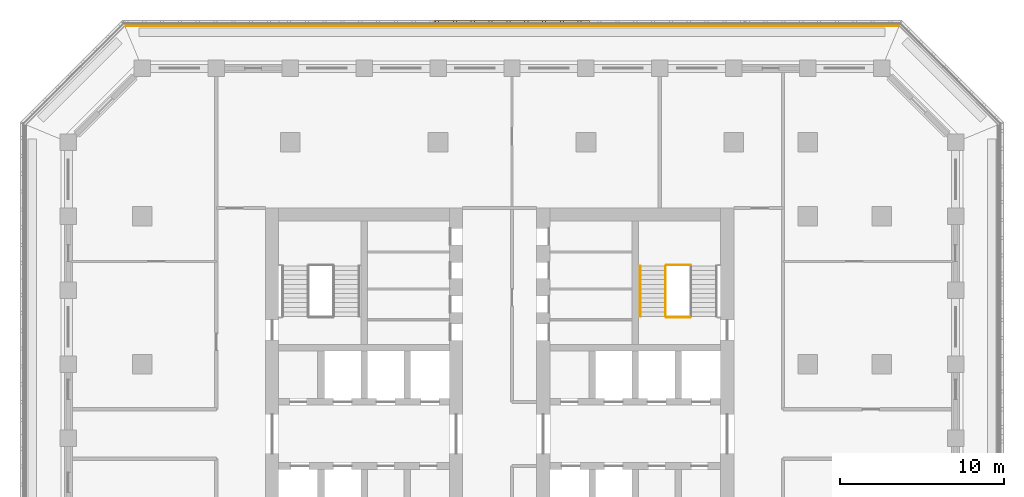
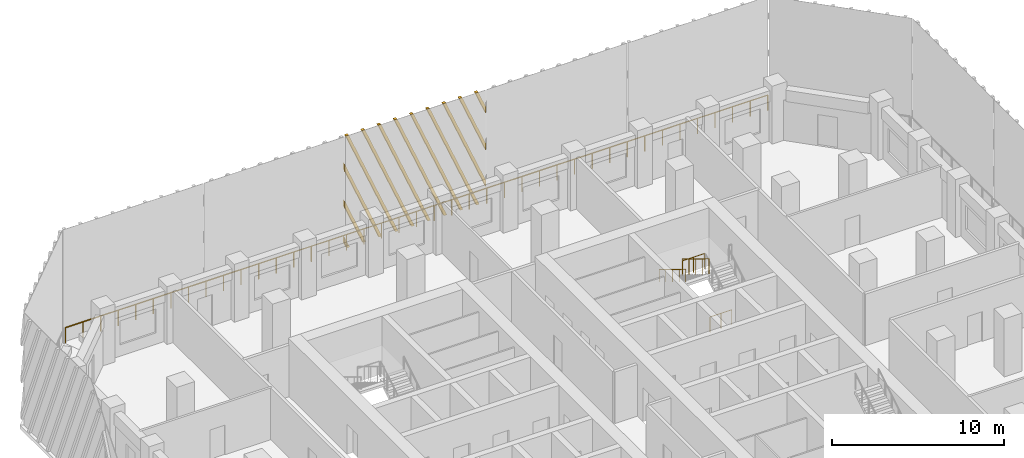
# One storey, part 14 of 16: 5 railings, 1 shading device.
"""IFC4 building model written with IfcOpenShell, lengths in metres."""

from ifc_helpers import new_model, si_unit, direction, frame, origin, origin_2d, place, context, subcontext, project, spatial, polyline, circle, outline, extrude, source, transform, mapped, material, type_object, element, save


model = new_model("IFC4")

# Units and contexts
model_context = context("Model", 3, precision=1e-05, world=origin(), true_north=direction((0.0, 1.0)))
body_context = subcontext(model_context, "Body", "Model", "MODEL_VIEW")
ifc_project = project(units=[si_unit("LENGTHUNIT", "METRE"), si_unit("AREAUNIT", "SQUARE_METRE"), si_unit("VOLUMEUNIT", "CUBIC_METRE"), si_unit("PLANEANGLEUNIT", "RADIAN"), si_unit("MASSUNIT", "GRAM", prefix="KILO")], contexts=[model_context])

# Site, building, storey
site_placement = place(None, origin())
site = spatial("IfcSite", under=ifc_project, at=site_placement, CompositionType="ELEMENT")
building_placement = place(site_placement, origin())
building = spatial("IfcBuilding", under=site, at=building_placement, Name="Corbel Stack Research Tower", CompositionType="ELEMENT")
storey_placement = place(building_placement, frame((0.0, 0.0, 199.699951171875)))
storey = spatial("IfcBuildingStorey", under=building, at=storey_placement, Name="L45", CompositionType="ELEMENT", Elevation=199.699951171875)

# Railings
ifc_material_1 = material(Name="Steel S355", Category="steel")
railing_type_1 = type_object("IfcRailingType", Name="Stair guard 1100", PredefinedType="GUARDRAIL", material=ifc_material_1)
railing_1_placement = place(storey_placement, frame((15.35009765625, 15.030029296875, 2.050048828125)))
element("IfcRailing", 1, at=railing_1_placement, inside=storey, type_object=railing_type_1, Name="L45 ST-E2 stair guard 2", PredefinedType="GUARDRAIL", context=body_context, shape_type="SweptSolid", body=[
    extrude(circle(Radius=0.02392578125, at=origin_2d()), frame((0.0, 0.0, 1.076171875), z_axis=(-1.0, 0.0, 0.0), x_axis=(0.0, -1.0, 0.0)), (0.0, 0.0, 1.0), 1.4501953125),
    extrude(circle(Radius=0.02099609375, at=origin_2d()), origin(), (0.0, 0.0, 1.0), 1.052001953125),
    extrude(circle(Radius=0.02099609375, at=origin_2d()), frame((-0.72509765625, 0.0, 0.0)), (0.0, 0.0, 1.0), 1.052001953125),
    extrude(circle(Radius=0.02099609375, at=origin_2d()), frame((-1.4501953125, 0.0, 0.0)), (0.0, 0.0, 1.0), 1.052001953125),
])
railing_2_placement = place(storey_placement, frame((13.85009765625, 14.97998046875, 2.220947265625)))
element("IfcRailing", 2, at=railing_2_placement, inside=storey, type_object=railing_type_1, Name="L45 ST-E2 stair guard 4", PredefinedType="GUARDRAIL", context=body_context, shape_type="SweptSolid", body=[
    extrude(circle(Radius=0.02392578125, at=origin_2d()), frame((0.0, 0.0, 1.076171875), z_axis=(0.0, -0.853666305674, 0.52082035152), x_axis=(1.0, 0.0, 0.0)), (0.0, 0.0, 1.0), 3.608154296875),
    extrude(circle(Radius=0.02099609375, at=origin_2d()), origin(), (0.0, 0.0, 1.0), 1.052001953125),
    extrude(circle(Radius=0.02099609375, at=origin_2d()), frame((0.0, -0.77001953125, 0.4697265625)), (0.0, 0.0, 1.0), 1.052001953125),
    extrude(circle(Radius=0.02099609375, at=origin_2d()), frame((0.0, -1.5400390625, 0.939453125)), (0.0, 0.0, 1.0), 1.052001953125),
    extrude(circle(Radius=0.02099609375, at=origin_2d()), frame((0.0, -2.31005859375, 1.409423828125)), (0.0, 0.0, 1.0), 1.052001953125),
    extrude(circle(Radius=0.02099609375, at=origin_2d()), frame((0.0, -3.080078125, 1.879150390625)), (0.0, 0.0, 1.0), 1.052001953125),
])
railing_3_placement = place(storey_placement, frame((15.35009765625, 11.85009765625, 0.0)))
element("IfcRailing", 3, at=railing_3_placement, inside=storey, type_object=railing_type_1, Name="L45 ST-E2 stair guard 5", PredefinedType="GUARDRAIL", context=body_context, shape_type="SweptSolid", body=[
    extrude(circle(Radius=0.02392578125, at=origin_2d()), frame((0.0, 0.0, 1.076171875), z_axis=(-1.0, 0.0, 0.0), x_axis=(0.0, -1.0, 0.0)), (0.0, 0.0, 1.0), 1.4501953125),
    extrude(circle(Radius=0.02099609375, at=origin_2d()), origin(), (0.0, 0.0, 1.0), 1.052001953125),
    extrude(circle(Radius=0.02099609375, at=origin_2d()), frame((-0.72509765625, 0.0, 0.0)), (0.0, 0.0, 1.0), 1.052001953125),
    extrude(circle(Radius=0.02099609375, at=origin_2d()), frame((-1.4501953125, 0.0, 0.0)), (0.0, 0.0, 1.0), 1.052001953125),
])
ifc_material_2 = material(Name="Steel S355", Category="steel")
railing_type_2 = type_object("IfcRailingType", Name="Stair handrail 900", PredefinedType="HANDRAIL", material=ifc_material_2)
railing_4_placement = place(storey_placement, frame((12.300048828125, 14.97998046875, 2.220947265625)))
element("IfcRailing", 4, at=railing_4_placement, inside=storey, type_object=railing_type_2, Name="L45 ST-E2 stair handrail 2", PredefinedType="HANDRAIL", context=body_context, shape_type="SweptSolid", body=[
    extrude(circle(Radius=0.02392578125, at=origin_2d()), frame((0.0, 0.0, 0.8759765625), z_axis=(0.0, -0.853666305674, 0.52082035152), x_axis=(1.0, 0.0, 0.0)), (0.0, 0.0, 1.0), 3.608154296875),
    extrude(circle(Radius=0.02099609375, at=origin_2d()), origin(), (0.0, 0.0, 1.0), 0.851806640625),
    extrude(circle(Radius=0.02099609375, at=origin_2d()), frame((0.0, -0.77001953125, 0.4697265625)), (0.0, 0.0, 1.0), 0.851806640625),
    extrude(circle(Radius=0.02099609375, at=origin_2d()), frame((0.0, -1.5400390625, 0.939453125)), (0.0, 0.0, 1.0), 0.851806640625),
    extrude(circle(Radius=0.02099609375, at=origin_2d()), frame((0.0, -2.31005859375, 1.409423828125)), (0.0, 0.0, 1.0), 0.851806640625),
    extrude(circle(Radius=0.02099609375, at=origin_2d()), frame((0.0, -3.080078125, 1.879150390625)), (0.0, 0.0, 1.0), 0.851806640625),
])
ifc_material_3 = material(Name="Powder-coated steel guard", Category="steel")
railing_type_3 = type_object("IfcRailingType", Name="Steel and glass guard 1100", PredefinedType="GUARDRAIL", material=ifc_material_3)
railing_5_placement = place(storey_placement, frame((28.00537109375, 29.60009765625, 0.0)))
element("IfcRailing", 5, at=railing_5_placement, inside=storey, type_object=railing_type_3, Name="Loggia guard L45 N", PredefinedType="GUARDRAIL", context=body_context, shape_type="SweptSolid", body=[
    extrude(circle(Radius=0.02392578125, at=origin_2d()), frame((0.0, 0.0, 1.076171875), z_axis=(-1.0, 0.0, 0.0), x_axis=(0.0, -1.0, 0.0)), (0.0, 0.0, 1.0), 47.0107421875),
    extrude(circle(Radius=0.02099609375, at=origin_2d()), origin(), (0.0, 0.0, 1.0), 1.052001953125),
    extrude(circle(Radius=0.02099609375, at=origin_2d()), frame((-1.17529296875, 0.0, 0.0)), (0.0, 0.0, 1.0), 1.052001953125),
    extrude(circle(Radius=0.02099609375, at=origin_2d()), frame((-2.3505859375, 0.0, 0.0)), (0.0, 0.0, 1.0), 1.052001953125),
    extrude(circle(Radius=0.02099609375, at=origin_2d()), frame((-3.52587890625, 0.0, 0.0)), (0.0, 0.0, 1.0), 1.052001953125),
    extrude(circle(Radius=0.02099609375, at=origin_2d()), frame((-4.701171875, 0.0, 0.0)), (0.0, 0.0, 1.0), 1.052001953125),
    extrude(circle(Radius=0.02099609375, at=origin_2d()), frame((-5.87646484375, 0.0, 0.0)), (0.0, 0.0, 1.0), 1.052001953125),
    extrude(circle(Radius=0.02099609375, at=origin_2d()), frame((-7.051513671875, 0.0, 0.0)), (0.0, 0.0, 1.0), 1.052001953125),
    extrude(circle(Radius=0.02099609375, at=origin_2d()), frame((-8.226806640625, 0.0, 0.0)), (0.0, 0.0, 1.0), 1.052001953125),
    extrude(circle(Radius=0.02099609375, at=origin_2d()), frame((-9.402099609375, 0.0, 0.0)), (0.0, 0.0, 1.0), 1.052001953125),
    extrude(circle(Radius=0.02099609375, at=origin_2d()), frame((-10.577392578125, 0.0, 0.0)), (0.0, 0.0, 1.0), 1.052001953125),
    extrude(circle(Radius=0.02099609375, at=origin_2d()), frame((-11.752685546875, 0.0, 0.0)), (0.0, 0.0, 1.0), 1.052001953125),
    extrude(circle(Radius=0.02099609375, at=origin_2d()), frame((-12.927978515625, 0.0, 0.0)), (0.0, 0.0, 1.0), 1.052001953125),
    extrude(circle(Radius=0.02099609375, at=origin_2d()), frame((-14.103271484375, 0.0, 0.0)), (0.0, 0.0, 1.0), 1.052001953125),
    extrude(circle(Radius=0.02099609375, at=origin_2d()), frame((-15.278564453125, 0.0, 0.0)), (0.0, 0.0, 1.0), 1.052001953125),
    extrude(circle(Radius=0.02099609375, at=origin_2d()), frame((-16.453857421875, 0.0, 0.0)), (0.0, 0.0, 1.0), 1.052001953125),
    extrude(circle(Radius=0.02099609375, at=origin_2d()), frame((-17.62890625, 0.0, 0.0)), (0.0, 0.0, 1.0), 1.052001953125),
    extrude(circle(Radius=0.02099609375, at=origin_2d()), frame((-18.80419921875, 0.0, 0.0)), (0.0, 0.0, 1.0), 1.052001953125),
    extrude(circle(Radius=0.02099609375, at=origin_2d()), frame((-19.9794921875, 0.0, 0.0)), (0.0, 0.0, 1.0), 1.052001953125),
    extrude(circle(Radius=0.02099609375, at=origin_2d()), frame((-21.15478515625, 0.0, 0.0)), (0.0, 0.0, 1.0), 1.052001953125),
    extrude(circle(Radius=0.02099609375, at=origin_2d()), frame((-22.330078125, 0.0, 0.0)), (0.0, 0.0, 1.0), 1.052001953125),
    extrude(circle(Radius=0.02099609375, at=origin_2d()), frame((-23.50537109375, 0.0, 0.0)), (0.0, 0.0, 1.0), 1.052001953125),
    extrude(circle(Radius=0.02099609375, at=origin_2d()), frame((-24.6806640625, 0.0, 0.0)), (0.0, 0.0, 1.0), 1.052001953125),
    extrude(circle(Radius=0.02099609375, at=origin_2d()), frame((-25.85595703125, 0.0, 0.0)), (0.0, 0.0, 1.0), 1.052001953125),
    extrude(circle(Radius=0.02099609375, at=origin_2d()), frame((-27.03125, 0.0, 0.0)), (0.0, 0.0, 1.0), 1.052001953125),
    extrude(circle(Radius=0.02099609375, at=origin_2d()), frame((-28.20654296875, 0.0, 0.0)), (0.0, 0.0, 1.0), 1.052001953125),
    extrude(circle(Radius=0.02099609375, at=origin_2d()), frame((-29.3818359375, 0.0, 0.0)), (0.0, 0.0, 1.0), 1.052001953125),
    extrude(circle(Radius=0.02099609375, at=origin_2d()), frame((-30.556884765625, 0.0, 0.0)), (0.0, 0.0, 1.0), 1.052001953125),
    extrude(circle(Radius=0.02099609375, at=origin_2d()), frame((-31.732177734375, 0.0, 0.0)), (0.0, 0.0, 1.0), 1.052001953125),
    extrude(circle(Radius=0.02099609375, at=origin_2d()), frame((-32.907470703125, 0.0, 0.0)), (0.0, 0.0, 1.0), 1.052001953125),
    extrude(circle(Radius=0.02099609375, at=origin_2d()), frame((-34.082763671875, 0.0, 0.0)), (0.0, 0.0, 1.0), 1.052001953125),
    extrude(circle(Radius=0.02099609375, at=origin_2d()), frame((-35.258056640625, 0.0, 0.0)), (0.0, 0.0, 1.0), 1.052001953125),
    extrude(circle(Radius=0.02099609375, at=origin_2d()), frame((-36.433349609375, 0.0, 0.0)), (0.0, 0.0, 1.0), 1.052001953125),
    extrude(circle(Radius=0.02099609375, at=origin_2d()), frame((-37.608642578125, 0.0, 0.0)), (0.0, 0.0, 1.0), 1.052001953125),
    extrude(circle(Radius=0.02099609375, at=origin_2d()), frame((-38.783935546875, 0.0, 0.0)), (0.0, 0.0, 1.0), 1.052001953125),
    extrude(circle(Radius=0.02099609375, at=origin_2d()), frame((-39.959228515625, 0.0, 0.0)), (0.0, 0.0, 1.0), 1.052001953125),
    extrude(circle(Radius=0.02099609375, at=origin_2d()), frame((-41.13427734375, 0.0, 0.0)), (0.0, 0.0, 1.0), 1.052001953125),
    extrude(circle(Radius=0.02099609375, at=origin_2d()), frame((-42.3095703125, 0.0, 0.0)), (0.0, 0.0, 1.0), 1.052001953125),
    extrude(circle(Radius=0.02099609375, at=origin_2d()), frame((-43.48486328125, 0.0, 0.0)), (0.0, 0.0, 1.0), 1.052001953125),
    extrude(circle(Radius=0.02099609375, at=origin_2d()), frame((-44.66015625, 0.0, 0.0)), (0.0, 0.0, 1.0), 1.052001953125),
    extrude(circle(Radius=0.02099609375, at=origin_2d()), frame((-45.83544921875, 0.0, 0.0)), (0.0, 0.0, 1.0), 1.052001953125),
    extrude(circle(Radius=0.02099609375, at=origin_2d()), frame((-47.0107421875, 0.0, 0.0)), (0.0, 0.0, 1.0), 1.052001953125),
])

# Shading device
ifc_material_4 = material(Name="Precast terracotta", Category="masonry")
shading_device_type = type_object("IfcShadingDeviceType", Name="Terracotta screen panel", PredefinedType="USERDEFINED", material=ifc_material_4)
shared_shape = source(origin(), body_context, "Body", "SweptSolid", [
    extrude(outline(polyline([(0.70361328125, 7.949951171875), (0.513427734375, 7.949951171875), (0.0, 6.720458984375), (0.0, 6.265380859375), (0.70361328125, 7.949951171875)])), frame((0.0, 0.0, 0.0), z_axis=(0.0, -1.0, 0.0), x_axis=(1.0, 0.0, 0.0)), (0.0, 0.0, 1.0), 0.179931640625),
    extrude(outline(polyline([(1.7880859375, 7.949951171875), (1.59814453125, 7.949951171875), (0.0, 4.123291015625), (0.0, 3.668212890625), (1.7880859375, 7.949951171875)])), frame((0.0, 0.0, 0.0), z_axis=(0.0, -1.0, 0.0), x_axis=(1.0, 0.0, 0.0)), (0.0, 0.0, 1.0), 0.179931640625),
    extrude(outline(polyline([(2.872802734375, 7.949951171875), (2.682861328125, 7.949951171875), (0.0, 1.526123046875), (0.0, 1.071044921875), (2.872802734375, 7.949951171875)])), frame((0.0, 0.0, 0.0), z_axis=(0.0, -1.0, 0.0), x_axis=(1.0, 0.0, 0.0)), (0.0, 0.0, 1.0), 0.179931640625),
    extrude(outline(polyline([(0.63720703125, 0.0), (3.95751953125, 7.949951171875), (3.767578125, 7.949951171875), (0.447265625, 0.0), (0.63720703125, 0.0)])), frame((0.0, 0.0, 0.0), z_axis=(0.0, -1.0, 0.0), x_axis=(1.0, 0.0, 0.0)), (0.0, 0.0, 1.0), 0.179931640625),
    extrude(outline(polyline([(1.721923828125, 0.0), (5.042236328125, 7.949951171875), (4.852294921875, 7.949951171875), (1.531982421875, 0.0), (1.721923828125, 0.0)])), frame((0.0, 0.0, 0.0), z_axis=(0.0, -1.0, 0.0), x_axis=(1.0, 0.0, 0.0)), (0.0, 0.0, 1.0), 0.179931640625),
    extrude(outline(polyline([(2.806640625, 0.0), (6.126708984375, 7.949951171875), (5.936767578125, 7.949951171875), (2.61669921875, 0.0), (2.806640625, 0.0)])), frame((0.0, 0.0, 0.0), z_axis=(0.0, -1.0, 0.0), x_axis=(1.0, 0.0, 0.0)), (0.0, 0.0, 1.0), 0.179931640625),
    extrude(outline(polyline([(3.891357421875, 0.0), (7.21142578125, 7.949951171875), (7.021484375, 7.949951171875), (3.701416015625, 0.0), (3.891357421875, 0.0)])), frame((0.0, 0.0, 0.0), z_axis=(0.0, -1.0, 0.0), x_axis=(1.0, 0.0, 0.0)), (0.0, 0.0, 1.0), 0.179931640625),
    extrude(outline(polyline([(4.97607421875, 0.0), (8.296142578125, 7.949951171875), (8.106201171875, 7.949951171875), (4.785888671875, 0.0), (4.97607421875, 0.0)])), frame((0.0, 0.0, 0.0), z_axis=(0.0, -1.0, 0.0), x_axis=(1.0, 0.0, 0.0)), (0.0, 0.0, 1.0), 0.179931640625),
    extrude(outline(polyline([(6.060791015625, 0.0), (9.380859375, 7.949951171875), (9.19091796875, 7.949951171875), (5.87060546875, 0.0), (6.060791015625, 0.0)])), frame((0.0, 0.0, 0.0), z_axis=(0.0, -1.0, 0.0), x_axis=(1.0, 0.0, 0.0)), (0.0, 0.0, 1.0), 0.179931640625),
    extrude(outline(polyline([(7.145263671875, 0.0), (9.45556640625, 5.531982421875), (9.45556640625, 5.98681640625), (6.955322265625, 0.0), (7.145263671875, 0.0)])), frame((0.0, 0.0, 0.0), z_axis=(0.0, -1.0, 0.0), x_axis=(1.0, 0.0, 0.0)), (0.0, 0.0, 1.0), 0.179931640625),
    extrude(outline(polyline([(8.22998046875, 0.0), (9.45556640625, 2.934814453125), (9.45556640625, 3.3896484375), (8.0400390625, 0.0), (8.22998046875, 0.0)])), frame((0.0, 0.0, 0.0), z_axis=(0.0, -1.0, 0.0), x_axis=(1.0, 0.0, 0.0)), (0.0, 0.0, 1.0), 0.179931640625),
    extrude(outline(polyline([(9.314697265625, 0.0), (9.45556640625, 0.337646484375), (9.45556640625, 0.79248046875), (9.124755859375, 0.0), (9.314697265625, 0.0)])), frame((0.0, 0.0, 0.0), z_axis=(0.0, -1.0, 0.0), x_axis=(1.0, 0.0, 0.0)), (0.0, 0.0, 1.0), 0.179931640625),
])
shading_device_placement = place(storey_placement, frame((9.227783203125, 29.75, 0.0), z_axis=(0.0, 0.0, 1.0), x_axis=(-1.0, 0.0, 0.0)))
element("IfcShadingDevice", 6, at=shading_device_placement, inside=storey, type_object=shading_device_type, Name="Terracotta screen L45 N3", ObjectType="SCREEN", PredefinedType="USERDEFINED", context=body_context, shape_type="MappedRepresentation", body=[
    mapped(shared_shape, transform((0.0, 0.0, 0.0))),
])

save(model, "model.ifc")
